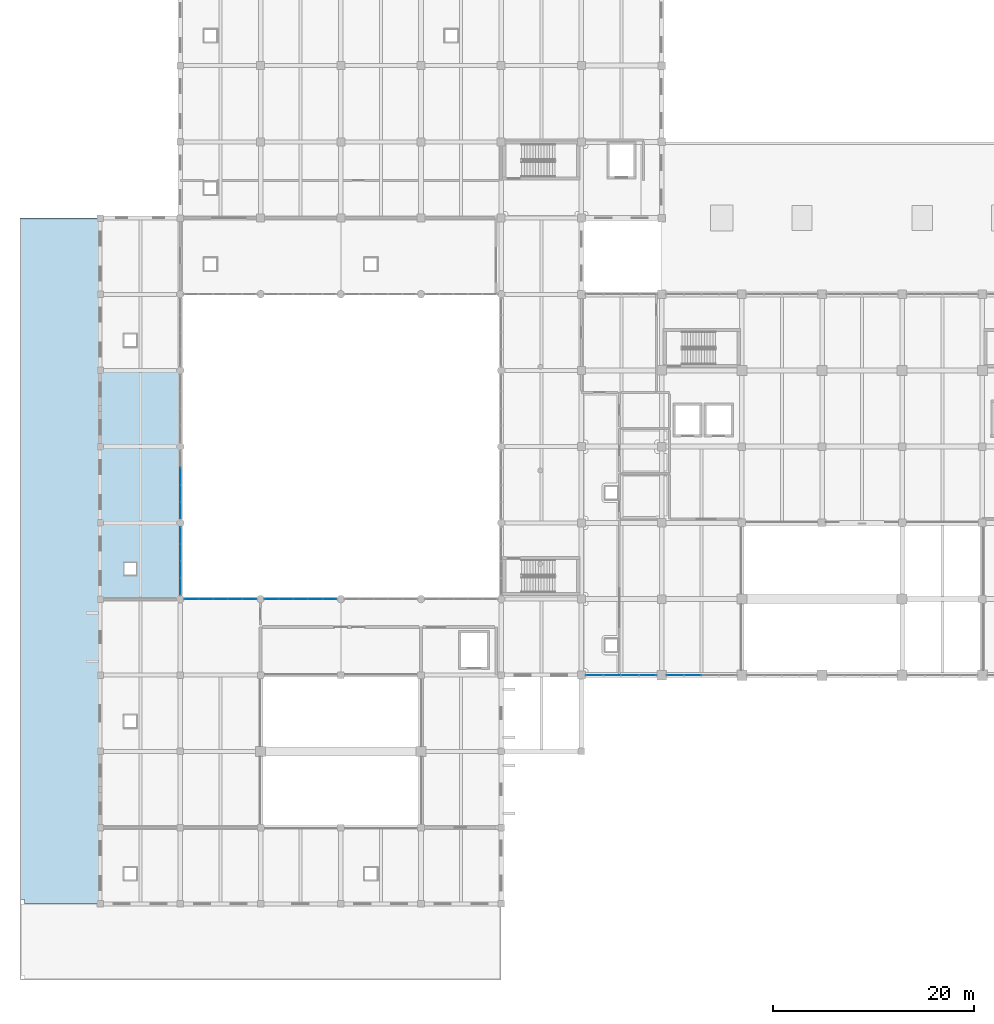
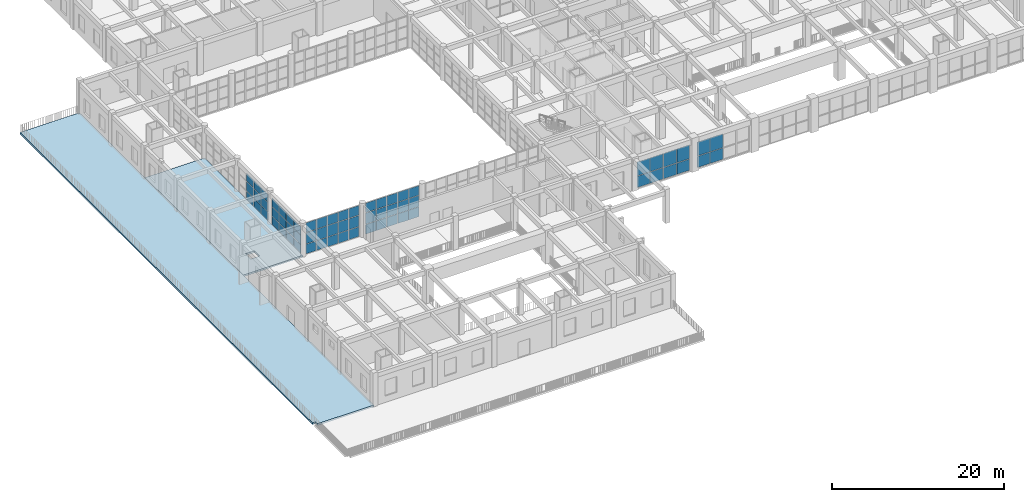
# One storey, part 61 of 101: 63 plates, 2 slabs, 6 elements without a shape of their own.
"""IFC4 building model written with IfcOpenShell, lengths in metres."""

from ifc_helpers import new_model, si_unit, direction, frame, origin, origin_2d, place, context, subcontext, project, spatial, polyline, rectangle, outline, extrude, material, layer, layer_set, type_object, element, aggregate, save


model = new_model("IFC4")

# Units and contexts
model_context = context("Model", 3, precision=1e-05, world=origin(), true_north=direction((0.0, 1.0)))
body_context = subcontext(model_context, "Body", "Model", "MODEL_VIEW")
ifc_project = project(units=[si_unit("LENGTHUNIT", "METRE"), si_unit("AREAUNIT", "SQUARE_METRE"), si_unit("VOLUMEUNIT", "CUBIC_METRE"), si_unit("PLANEANGLEUNIT", "RADIAN"), si_unit("MASSUNIT", "GRAM", prefix="KILO")], contexts=[model_context])

# Site, building, storey
site_placement = place(None, origin())
site = spatial("IfcSite", under=ifc_project, at=site_placement, CompositionType="ELEMENT")
building_placement = place(site_placement, origin())
building = spatial("IfcBuilding", under=site, at=building_placement, Name="Zantavel Square City Hall", CompositionType="ELEMENT")
storey_placement = place(building_placement, frame((0.0, 0.0, 5.39990234375)))
storey = spatial("IfcBuildingStorey", under=building, at=storey_placement, Name="L02", CompositionType="ELEMENT", Elevation=5.39990234375)

# Curtain wall, plates
ifc_material_1 = material(Name="Anodised aluminium 6063-T6", Category="aluminium")
curtain_wall_type_1 = type_object("IfcCurtainWallType", Name="Curtain Wall CRT 7250x4520", PredefinedType="USERDEFINED", material=ifc_material_1)
curtain_wall_1_placement = place(storey_placement, origin())
curtain_wall_1 = element("IfcCurtainWall", 1, at=curtain_wall_1_placement, inside=storey, type_object=curtain_wall_type_1, Name="L02 Glazed Curtain Wall CW-L02-073", ObjectType="GLAZED CURTAIN WALL", PredefinedType="USERDEFINED")
ifc_material_2 = material(Name="Tempered safety glass low-E double glazing", Category="glass")
ifc_layer_1 = layer(ifc_material_2, 0.028076171875, Name="Tempered safety glass low-E double glazing")
ifc_layer_set_1 = layer_set([ifc_layer_1], Name="Tempered safety glass low-E double glazing")
plate_type_1 = type_object("IfcPlateType", Name="Low-E Curtain Glazing Panel 1450x1507x28", PredefinedType="CURTAIN_PANEL", material=ifc_layer_set_1)
plate_1_placement = place(storey_placement, frame((17.114990234375, 38.0, 0.06005859375), z_axis=(0.0, 0.0, 1.0), x_axis=(1.0, 0.0, 0.0)))
plate_1 = element("IfcPlate", 2, at=plate_1_placement, type_object=plate_type_1, Name="CW-073 panel 1.1", PredefinedType="CURTAIN_PANEL", context=body_context, shape_type="SweptSolid", body=[
    extrude(rectangle(XDim=1.360107421875, YDim=0.028076171875, at=origin_2d()), origin(), (0.0, 0.0, 1.0), 1.35595703125),
])
plate_2_placement = place(storey_placement, frame((17.114990234375, 38.0, 1.47607421875), z_axis=(0.0, 0.0, 1.0), x_axis=(1.0, 0.0, 0.0)))
plate_2 = element("IfcPlate", 3, at=plate_2_placement, type_object=plate_type_1, Name="CW-073 panel 1.2", PredefinedType="CURTAIN_PANEL", context=body_context, shape_type="SweptSolid", body=[
    extrude(rectangle(XDim=1.360107421875, YDim=0.028076171875, at=origin_2d()), origin(), (0.0, 0.0, 1.0), 1.568115234375),
])
plate_3_placement = place(storey_placement, frame((17.114990234375, 38.0, 3.10400390625), z_axis=(0.0, 0.0, 1.0), x_axis=(1.0, 0.0, 0.0)))
plate_3 = element("IfcPlate", 4, at=plate_3_placement, type_object=plate_type_1, Name="CW-073 panel 1.3", PredefinedType="CURTAIN_PANEL", context=body_context, shape_type="SweptSolid", body=[
    extrude(rectangle(XDim=1.360107421875, YDim=0.028076171875, at=origin_2d()), origin(), (0.0, 0.0, 1.0), 1.35595703125),
])
plate_4_placement = place(storey_placement, frame((18.550048828125, 38.0, 0.06005859375), z_axis=(0.0, 0.0, 1.0), x_axis=(1.0, 0.0, 0.0)))
plate_4 = element("IfcPlate", 5, at=plate_4_placement, type_object=plate_type_1, Name="CW-073 panel 2.1", PredefinedType="CURTAIN_PANEL", context=body_context, shape_type="SweptSolid", body=[
    extrude(rectangle(XDim=1.389892578125, YDim=0.028076171875, at=origin_2d()), origin(), (0.0, 0.0, 1.0), 1.35595703125),
])
plate_5_placement = place(storey_placement, frame((18.550048828125, 38.0, 1.47607421875), z_axis=(0.0, 0.0, 1.0), x_axis=(1.0, 0.0, 0.0)))
plate_5 = element("IfcPlate", 6, at=plate_5_placement, type_object=plate_type_1, Name="CW-073 panel 2.2", PredefinedType="CURTAIN_PANEL", context=body_context, shape_type="SweptSolid", body=[
    extrude(rectangle(XDim=1.389892578125, YDim=0.028076171875, at=origin_2d()), origin(), (0.0, 0.0, 1.0), 1.568115234375),
])
plate_6_placement = place(storey_placement, frame((18.550048828125, 38.0, 3.10400390625), z_axis=(0.0, 0.0, 1.0), x_axis=(1.0, 0.0, 0.0)))
plate_6 = element("IfcPlate", 7, at=plate_6_placement, type_object=plate_type_1, Name="CW-073 panel 2.3", PredefinedType="CURTAIN_PANEL", context=body_context, shape_type="SweptSolid", body=[
    extrude(rectangle(XDim=1.389892578125, YDim=0.028076171875, at=origin_2d()), origin(), (0.0, 0.0, 1.0), 1.35595703125),
])
plate_7_placement = place(storey_placement, frame((20.0, 38.0, 0.06005859375), z_axis=(0.0, 0.0, 1.0), x_axis=(1.0, 0.0, 0.0)))
plate_7 = element("IfcPlate", 8, at=plate_7_placement, type_object=plate_type_1, Name="CW-073 panel 3.1", PredefinedType="CURTAIN_PANEL", context=body_context, shape_type="SweptSolid", body=[
    extrude(rectangle(XDim=1.389892578125, YDim=0.028076171875, at=origin_2d()), origin(), (0.0, 0.0, 1.0), 1.35595703125),
])
plate_8_placement = place(storey_placement, frame((20.0, 38.0, 1.47607421875), z_axis=(0.0, 0.0, 1.0), x_axis=(1.0, 0.0, 0.0)))
plate_8 = element("IfcPlate", 9, at=plate_8_placement, type_object=plate_type_1, Name="CW-073 panel 3.2", PredefinedType="CURTAIN_PANEL", context=body_context, shape_type="SweptSolid", body=[
    extrude(rectangle(XDim=1.389892578125, YDim=0.028076171875, at=origin_2d()), origin(), (0.0, 0.0, 1.0), 1.568115234375),
])
plate_9_placement = place(storey_placement, frame((20.0, 38.0, 3.10400390625), z_axis=(0.0, 0.0, 1.0), x_axis=(1.0, 0.0, 0.0)))
plate_9 = element("IfcPlate", 10, at=plate_9_placement, type_object=plate_type_1, Name="CW-073 panel 3.3", PredefinedType="CURTAIN_PANEL", context=body_context, shape_type="SweptSolid", body=[
    extrude(rectangle(XDim=1.389892578125, YDim=0.028076171875, at=origin_2d()), origin(), (0.0, 0.0, 1.0), 1.35595703125),
])
plate_10_placement = place(storey_placement, frame((21.449951171875, 38.0, 0.06005859375), z_axis=(0.0, 0.0, 1.0), x_axis=(1.0, 0.0, 0.0)))
plate_10 = element("IfcPlate", 11, at=plate_10_placement, type_object=plate_type_1, Name="CW-073 panel 4.1", PredefinedType="CURTAIN_PANEL", context=body_context, shape_type="SweptSolid", body=[
    extrude(rectangle(XDim=1.389892578125, YDim=0.028076171875, at=origin_2d()), origin(), (0.0, 0.0, 1.0), 1.35595703125),
])
plate_11_placement = place(storey_placement, frame((21.449951171875, 38.0, 1.47607421875), z_axis=(0.0, 0.0, 1.0), x_axis=(1.0, 0.0, 0.0)))
plate_11 = element("IfcPlate", 12, at=plate_11_placement, type_object=plate_type_1, Name="CW-073 panel 4.2", PredefinedType="CURTAIN_PANEL", context=body_context, shape_type="SweptSolid", body=[
    extrude(rectangle(XDim=1.389892578125, YDim=0.028076171875, at=origin_2d()), origin(), (0.0, 0.0, 1.0), 1.568115234375),
])
plate_12_placement = place(storey_placement, frame((21.449951171875, 38.0, 3.10400390625), z_axis=(0.0, 0.0, 1.0), x_axis=(1.0, 0.0, 0.0)))
plate_12 = element("IfcPlate", 13, at=plate_12_placement, type_object=plate_type_1, Name="CW-073 panel 4.3", PredefinedType="CURTAIN_PANEL", context=body_context, shape_type="SweptSolid", body=[
    extrude(rectangle(XDim=1.389892578125, YDim=0.028076171875, at=origin_2d()), origin(), (0.0, 0.0, 1.0), 1.35595703125),
])
plate_13_placement = place(storey_placement, frame((22.885009765625, 38.0, 0.06005859375), z_axis=(0.0, 0.0, 1.0), x_axis=(1.0, 0.0, 0.0)))
plate_13 = element("IfcPlate", 14, at=plate_13_placement, type_object=plate_type_1, Name="CW-073 panel 5.1", PredefinedType="CURTAIN_PANEL", context=body_context, shape_type="SweptSolid", body=[
    extrude(rectangle(XDim=1.360107421875, YDim=0.028076171875, at=origin_2d()), origin(), (0.0, 0.0, 1.0), 1.35595703125),
])
plate_14_placement = place(storey_placement, frame((22.885009765625, 38.0, 1.47607421875), z_axis=(0.0, 0.0, 1.0), x_axis=(1.0, 0.0, 0.0)))
plate_14 = element("IfcPlate", 15, at=plate_14_placement, type_object=plate_type_1, Name="CW-073 panel 5.2", PredefinedType="CURTAIN_PANEL", context=body_context, shape_type="SweptSolid", body=[
    extrude(rectangle(XDim=1.360107421875, YDim=0.028076171875, at=origin_2d()), origin(), (0.0, 0.0, 1.0), 1.568115234375),
])
plate_15_placement = place(storey_placement, frame((22.885009765625, 38.0, 3.10400390625), z_axis=(0.0, 0.0, 1.0), x_axis=(1.0, 0.0, 0.0)))
plate_15 = element("IfcPlate", 16, at=plate_15_placement, type_object=plate_type_1, Name="CW-073 panel 5.3", PredefinedType="CURTAIN_PANEL", context=body_context, shape_type="SweptSolid", body=[
    extrude(rectangle(XDim=1.360107421875, YDim=0.028076171875, at=origin_2d()), origin(), (0.0, 0.0, 1.0), 1.35595703125),
])
aggregate(curtain_wall_1, [plate_1, plate_2, plate_3, plate_4, plate_5, plate_6, plate_7, plate_8, plate_9, plate_10, plate_11, plate_12, plate_13, plate_14, plate_15])

curtain_wall_2_placement = place(storey_placement, origin())
curtain_wall_2 = element("IfcCurtainWall", 17, at=curtain_wall_2_placement, inside=storey, type_object=curtain_wall_type_1, Name="L02 Glazed Curtain Wall CW-L02-074", ObjectType="GLAZED CURTAIN WALL", PredefinedType="USERDEFINED")
plate_16_placement = place(storey_placement, frame((25.114990234375, 38.0, 0.06005859375), z_axis=(0.0, 0.0, 1.0), x_axis=(1.0, 0.0, 0.0)))
plate_16 = element("IfcPlate", 18, at=plate_16_placement, type_object=plate_type_1, Name="CW-074 panel 1.1", PredefinedType="CURTAIN_PANEL", context=body_context, shape_type="SweptSolid", body=[
    extrude(rectangle(XDim=1.360107421875, YDim=0.028076171875, at=origin_2d()), origin(), (0.0, 0.0, 1.0), 1.35595703125),
])
plate_17_placement = place(storey_placement, frame((25.114990234375, 38.0, 1.47607421875), z_axis=(0.0, 0.0, 1.0), x_axis=(1.0, 0.0, 0.0)))
plate_17 = element("IfcPlate", 19, at=plate_17_placement, type_object=plate_type_1, Name="CW-074 panel 1.2", PredefinedType="CURTAIN_PANEL", context=body_context, shape_type="SweptSolid", body=[
    extrude(rectangle(XDim=1.360107421875, YDim=0.028076171875, at=origin_2d()), origin(), (0.0, 0.0, 1.0), 1.568115234375),
])
plate_18_placement = place(storey_placement, frame((25.114990234375, 38.0, 3.10400390625), z_axis=(0.0, 0.0, 1.0), x_axis=(1.0, 0.0, 0.0)))
plate_18 = element("IfcPlate", 20, at=plate_18_placement, type_object=plate_type_1, Name="CW-074 panel 1.3", PredefinedType="CURTAIN_PANEL", context=body_context, shape_type="SweptSolid", body=[
    extrude(rectangle(XDim=1.360107421875, YDim=0.028076171875, at=origin_2d()), origin(), (0.0, 0.0, 1.0), 1.35595703125),
])
plate_19_placement = place(storey_placement, frame((26.550048828125, 38.0, 0.06005859375), z_axis=(0.0, 0.0, 1.0), x_axis=(1.0, 0.0, 0.0)))
plate_19 = element("IfcPlate", 21, at=plate_19_placement, type_object=plate_type_1, Name="CW-074 panel 2.1", PredefinedType="CURTAIN_PANEL", context=body_context, shape_type="SweptSolid", body=[
    extrude(rectangle(XDim=1.389892578125, YDim=0.028076171875, at=origin_2d()), origin(), (0.0, 0.0, 1.0), 1.35595703125),
])
plate_20_placement = place(storey_placement, frame((26.550048828125, 38.0, 1.47607421875), z_axis=(0.0, 0.0, 1.0), x_axis=(1.0, 0.0, 0.0)))
plate_20 = element("IfcPlate", 22, at=plate_20_placement, type_object=plate_type_1, Name="CW-074 panel 2.2", PredefinedType="CURTAIN_PANEL", context=body_context, shape_type="SweptSolid", body=[
    extrude(rectangle(XDim=1.389892578125, YDim=0.028076171875, at=origin_2d()), origin(), (0.0, 0.0, 1.0), 1.568115234375),
])
plate_21_placement = place(storey_placement, frame((26.550048828125, 38.0, 3.10400390625), z_axis=(0.0, 0.0, 1.0), x_axis=(1.0, 0.0, 0.0)))
plate_21 = element("IfcPlate", 23, at=plate_21_placement, type_object=plate_type_1, Name="CW-074 panel 2.3", PredefinedType="CURTAIN_PANEL", context=body_context, shape_type="SweptSolid", body=[
    extrude(rectangle(XDim=1.389892578125, YDim=0.028076171875, at=origin_2d()), origin(), (0.0, 0.0, 1.0), 1.35595703125),
])
plate_22_placement = place(storey_placement, frame((28.0, 38.0, 0.06005859375), z_axis=(0.0, 0.0, 1.0), x_axis=(1.0, 0.0, 0.0)))
plate_22 = element("IfcPlate", 24, at=plate_22_placement, type_object=plate_type_1, Name="CW-074 panel 3.1", PredefinedType="CURTAIN_PANEL", context=body_context, shape_type="SweptSolid", body=[
    extrude(rectangle(XDim=1.389892578125, YDim=0.028076171875, at=origin_2d()), origin(), (0.0, 0.0, 1.0), 1.35595703125),
])
plate_23_placement = place(storey_placement, frame((28.0, 38.0, 1.47607421875), z_axis=(0.0, 0.0, 1.0), x_axis=(1.0, 0.0, 0.0)))
plate_23 = element("IfcPlate", 25, at=plate_23_placement, type_object=plate_type_1, Name="CW-074 panel 3.2", PredefinedType="CURTAIN_PANEL", context=body_context, shape_type="SweptSolid", body=[
    extrude(rectangle(XDim=1.389892578125, YDim=0.028076171875, at=origin_2d()), origin(), (0.0, 0.0, 1.0), 1.568115234375),
])
plate_24_placement = place(storey_placement, frame((28.0, 38.0, 3.10400390625), z_axis=(0.0, 0.0, 1.0), x_axis=(1.0, 0.0, 0.0)))
plate_24 = element("IfcPlate", 26, at=plate_24_placement, type_object=plate_type_1, Name="CW-074 panel 3.3", PredefinedType="CURTAIN_PANEL", context=body_context, shape_type="SweptSolid", body=[
    extrude(rectangle(XDim=1.389892578125, YDim=0.028076171875, at=origin_2d()), origin(), (0.0, 0.0, 1.0), 1.35595703125),
])
plate_25_placement = place(storey_placement, frame((29.449951171875, 38.0, 0.06005859375), z_axis=(0.0, 0.0, 1.0), x_axis=(1.0, 0.0, 0.0)))
plate_25 = element("IfcPlate", 27, at=plate_25_placement, type_object=plate_type_1, Name="CW-074 panel 4.1", PredefinedType="CURTAIN_PANEL", context=body_context, shape_type="SweptSolid", body=[
    extrude(rectangle(XDim=1.389892578125, YDim=0.028076171875, at=origin_2d()), origin(), (0.0, 0.0, 1.0), 1.35595703125),
])
plate_26_placement = place(storey_placement, frame((29.449951171875, 38.0, 1.47607421875), z_axis=(0.0, 0.0, 1.0), x_axis=(1.0, 0.0, 0.0)))
plate_26 = element("IfcPlate", 28, at=plate_26_placement, type_object=plate_type_1, Name="CW-074 panel 4.2", PredefinedType="CURTAIN_PANEL", context=body_context, shape_type="SweptSolid", body=[
    extrude(rectangle(XDim=1.389892578125, YDim=0.028076171875, at=origin_2d()), origin(), (0.0, 0.0, 1.0), 1.568115234375),
])
plate_27_placement = place(storey_placement, frame((29.449951171875, 38.0, 3.10400390625), z_axis=(0.0, 0.0, 1.0), x_axis=(1.0, 0.0, 0.0)))
plate_27 = element("IfcPlate", 29, at=plate_27_placement, type_object=plate_type_1, Name="CW-074 panel 4.3", PredefinedType="CURTAIN_PANEL", context=body_context, shape_type="SweptSolid", body=[
    extrude(rectangle(XDim=1.389892578125, YDim=0.028076171875, at=origin_2d()), origin(), (0.0, 0.0, 1.0), 1.35595703125),
])
plate_28_placement = place(storey_placement, frame((30.885009765625, 38.0, 0.06005859375), z_axis=(0.0, 0.0, 1.0), x_axis=(1.0, 0.0, 0.0)))
plate_28 = element("IfcPlate", 30, at=plate_28_placement, type_object=plate_type_1, Name="CW-074 panel 5.1", PredefinedType="CURTAIN_PANEL", context=body_context, shape_type="SweptSolid", body=[
    extrude(rectangle(XDim=1.360107421875, YDim=0.028076171875, at=origin_2d()), origin(), (0.0, 0.0, 1.0), 1.35595703125),
])
plate_29_placement = place(storey_placement, frame((30.885009765625, 38.0, 1.47607421875), z_axis=(0.0, 0.0, 1.0), x_axis=(1.0, 0.0, 0.0)))
plate_29 = element("IfcPlate", 31, at=plate_29_placement, type_object=plate_type_1, Name="CW-074 panel 5.2", PredefinedType="CURTAIN_PANEL", context=body_context, shape_type="SweptSolid", body=[
    extrude(rectangle(XDim=1.360107421875, YDim=0.028076171875, at=origin_2d()), origin(), (0.0, 0.0, 1.0), 1.568115234375),
])
plate_30_placement = place(storey_placement, frame((30.885009765625, 38.0, 3.10400390625), z_axis=(0.0, 0.0, 1.0), x_axis=(1.0, 0.0, 0.0)))
plate_30 = element("IfcPlate", 32, at=plate_30_placement, type_object=plate_type_1, Name="CW-074 panel 5.3", PredefinedType="CURTAIN_PANEL", context=body_context, shape_type="SweptSolid", body=[
    extrude(rectangle(XDim=1.360107421875, YDim=0.028076171875, at=origin_2d()), origin(), (0.0, 0.0, 1.0), 1.35595703125),
])
aggregate(curtain_wall_2, [plate_16, plate_17, plate_18, plate_19, plate_20, plate_21, plate_22, plate_23, plate_24, plate_25, plate_26, plate_27, plate_28, plate_29, plate_30])

curtain_wall_type_2 = type_object("IfcCurtainWallType", Name="Curtain Wall CRT 6850x3840", PredefinedType="USERDEFINED", material=ifc_material_1)
curtain_wall_3_placement = place(storey_placement, origin())
curtain_wall_3 = element("IfcCurtainWall", 33, at=curtain_wall_3_placement, inside=storey, type_object=curtain_wall_type_2, Name="L02 Glazed Curtain Wall CW-L02-071", ObjectType="GLAZED CURTAIN WALL", PredefinedType="USERDEFINED")
ifc_layer_2 = layer(ifc_material_2, 0.028076171875, Name="Tempered safety glass low-E double glazing")
ifc_layer_set_2 = layer_set([ifc_layer_2], Name="Tempered safety glass low-E double glazing")
plate_type_2 = type_object("IfcPlateType", Name="Low-E Curtain Glazing Panel 1713x1280x28", PredefinedType="CURTAIN_PANEL", material=ifc_layer_set_2)
plate_31_placement = place(storey_placement, frame((16.0, 50.25634765625, 0.06005859375), z_axis=(0.0, 0.0, 1.0), x_axis=(0.0, -1.0, 0.0)))
plate_31 = element("IfcPlate", 34, at=plate_31_placement, type_object=plate_type_2, Name="CW-071 panel 2.1", PredefinedType="CURTAIN_PANEL", context=body_context, shape_type="SweptSolid", body=[
    extrude(rectangle(XDim=1.652587890625, YDim=0.028076171875, at=origin_2d()), origin(), (0.0, 0.0, 1.0), 1.138916015625),
])
plate_32_placement = place(storey_placement, frame((16.0, 50.25634765625, 1.25927734375), z_axis=(0.0, 0.0, 1.0), x_axis=(0.0, -1.0, 0.0)))
plate_32 = element("IfcPlate", 35, at=plate_32_placement, type_object=plate_type_2, Name="CW-071 panel 2.2", PredefinedType="CURTAIN_PANEL", context=body_context, shape_type="SweptSolid", body=[
    extrude(rectangle(XDim=1.652587890625, YDim=0.028076171875, at=origin_2d()), origin(), (0.0, 0.0, 1.0), 1.322021484375),
])
plate_33_placement = place(storey_placement, frame((16.0, 50.25634765625, 2.64111328125), z_axis=(0.0, 0.0, 1.0), x_axis=(0.0, -1.0, 0.0)))
plate_33 = element("IfcPlate", 36, at=plate_33_placement, type_object=plate_type_2, Name="CW-071 panel 2.3", PredefinedType="CURTAIN_PANEL", context=body_context, shape_type="SweptSolid", body=[
    extrude(rectangle(XDim=1.652587890625, YDim=0.028076171875, at=origin_2d()), origin(), (0.0, 0.0, 1.0), 1.138916015625),
])
plate_34_placement = place(storey_placement, frame((16.0, 48.543701171875, 0.06005859375), z_axis=(0.0, 0.0, 1.0), x_axis=(0.0, -1.0, 0.0)))
plate_34 = element("IfcPlate", 37, at=plate_34_placement, type_object=plate_type_2, Name="CW-071 panel 3.1", PredefinedType="CURTAIN_PANEL", context=body_context, shape_type="SweptSolid", body=[
    extrude(rectangle(XDim=1.652587890625, YDim=0.028076171875, at=origin_2d()), origin(), (0.0, 0.0, 1.0), 1.138916015625),
])
plate_35_placement = place(storey_placement, frame((16.0, 48.543701171875, 1.25927734375), z_axis=(0.0, 0.0, 1.0), x_axis=(0.0, -1.0, 0.0)))
plate_35 = element("IfcPlate", 38, at=plate_35_placement, type_object=plate_type_2, Name="CW-071 panel 3.2", PredefinedType="CURTAIN_PANEL", context=body_context, shape_type="SweptSolid", body=[
    extrude(rectangle(XDim=1.652587890625, YDim=0.028076171875, at=origin_2d()), origin(), (0.0, 0.0, 1.0), 1.322021484375),
])
plate_36_placement = place(storey_placement, frame((16.0, 48.543701171875, 2.64111328125), z_axis=(0.0, 0.0, 1.0), x_axis=(0.0, -1.0, 0.0)))
plate_36 = element("IfcPlate", 39, at=plate_36_placement, type_object=plate_type_2, Name="CW-071 panel 3.3", PredefinedType="CURTAIN_PANEL", context=body_context, shape_type="SweptSolid", body=[
    extrude(rectangle(XDim=1.652587890625, YDim=0.028076171875, at=origin_2d()), origin(), (0.0, 0.0, 1.0), 1.138916015625),
])
plate_37_placement = place(storey_placement, frame((16.0, 46.84619140625, 0.06005859375), z_axis=(0.0, 0.0, 1.0), x_axis=(0.0, -1.0, 0.0)))
plate_37 = element("IfcPlate", 40, at=plate_37_placement, type_object=plate_type_2, Name="CW-071 panel 4.1", PredefinedType="CURTAIN_PANEL", context=body_context, shape_type="SweptSolid", body=[
    extrude(rectangle(XDim=1.62255859375, YDim=0.028076171875, at=origin_2d()), origin(), (0.0, 0.0, 1.0), 1.138916015625),
])
plate_38_placement = place(storey_placement, frame((16.0, 46.84619140625, 1.25927734375), z_axis=(0.0, 0.0, 1.0), x_axis=(0.0, -1.0, 0.0)))
plate_38 = element("IfcPlate", 41, at=plate_38_placement, type_object=plate_type_2, Name="CW-071 panel 4.2", PredefinedType="CURTAIN_PANEL", context=body_context, shape_type="SweptSolid", body=[
    extrude(rectangle(XDim=1.62255859375, YDim=0.028076171875, at=origin_2d()), origin(), (0.0, 0.0, 1.0), 1.322021484375),
])
plate_39_placement = place(storey_placement, frame((16.0, 46.84619140625, 2.64111328125), z_axis=(0.0, 0.0, 1.0), x_axis=(0.0, -1.0, 0.0)))
plate_39 = element("IfcPlate", 42, at=plate_39_placement, type_object=plate_type_2, Name="CW-071 panel 4.3", PredefinedType="CURTAIN_PANEL", context=body_context, shape_type="SweptSolid", body=[
    extrude(rectangle(XDim=1.62255859375, YDim=0.028076171875, at=origin_2d()), origin(), (0.0, 0.0, 1.0), 1.138916015625),
])
aggregate(curtain_wall_3, [plate_31, plate_32, plate_33, plate_34, plate_35, plate_36, plate_37, plate_38, plate_39])

curtain_wall_4_placement = place(storey_placement, origin())
curtain_wall_4 = element("IfcCurtainWall", 43, at=curtain_wall_4_placement, inside=storey, type_object=curtain_wall_type_2, Name="L02 Glazed Curtain Wall CW-L02-072", ObjectType="GLAZED CURTAIN WALL", PredefinedType="USERDEFINED")
plate_40_placement = place(storey_placement, frame((16.0, 44.353759765625, 0.06005859375), z_axis=(0.0, 0.0, 1.0), x_axis=(0.0, -1.0, 0.0)))
plate_40 = element("IfcPlate", 44, at=plate_40_placement, type_object=plate_type_2, Name="CW-072 panel 1.1", PredefinedType="CURTAIN_PANEL", context=body_context, shape_type="SweptSolid", body=[
    extrude(rectangle(XDim=1.62255859375, YDim=0.028076171875, at=origin_2d()), origin(), (0.0, 0.0, 1.0), 1.138916015625),
])
plate_41_placement = place(storey_placement, frame((16.0, 44.353759765625, 1.25927734375), z_axis=(0.0, 0.0, 1.0), x_axis=(0.0, -1.0, 0.0)))
plate_41 = element("IfcPlate", 45, at=plate_41_placement, type_object=plate_type_2, Name="CW-072 panel 1.2", PredefinedType="CURTAIN_PANEL", context=body_context, shape_type="SweptSolid", body=[
    extrude(rectangle(XDim=1.62255859375, YDim=0.028076171875, at=origin_2d()), origin(), (0.0, 0.0, 1.0), 1.322021484375),
])
plate_42_placement = place(storey_placement, frame((16.0, 44.353759765625, 2.64111328125), z_axis=(0.0, 0.0, 1.0), x_axis=(0.0, -1.0, 0.0)))
plate_42 = element("IfcPlate", 46, at=plate_42_placement, type_object=plate_type_2, Name="CW-072 panel 1.3", PredefinedType="CURTAIN_PANEL", context=body_context, shape_type="SweptSolid", body=[
    extrude(rectangle(XDim=1.62255859375, YDim=0.028076171875, at=origin_2d()), origin(), (0.0, 0.0, 1.0), 1.138916015625),
])
plate_43_placement = place(storey_placement, frame((16.0, 42.65625, 0.06005859375), z_axis=(0.0, 0.0, 1.0), x_axis=(0.0, -1.0, 0.0)))
plate_43 = element("IfcPlate", 47, at=plate_43_placement, type_object=plate_type_2, Name="CW-072 panel 2.1", PredefinedType="CURTAIN_PANEL", context=body_context, shape_type="SweptSolid", body=[
    extrude(rectangle(XDim=1.652587890625, YDim=0.028076171875, at=origin_2d()), origin(), (0.0, 0.0, 1.0), 1.138916015625),
])
plate_44_placement = place(storey_placement, frame((16.0, 42.65625, 1.25927734375), z_axis=(0.0, 0.0, 1.0), x_axis=(0.0, -1.0, 0.0)))
plate_44 = element("IfcPlate", 48, at=plate_44_placement, type_object=plate_type_2, Name="CW-072 panel 2.2", PredefinedType="CURTAIN_PANEL", context=body_context, shape_type="SweptSolid", body=[
    extrude(rectangle(XDim=1.652587890625, YDim=0.028076171875, at=origin_2d()), origin(), (0.0, 0.0, 1.0), 1.322021484375),
])
plate_45_placement = place(storey_placement, frame((16.0, 42.65625, 2.64111328125), z_axis=(0.0, 0.0, 1.0), x_axis=(0.0, -1.0, 0.0)))
plate_45 = element("IfcPlate", 49, at=plate_45_placement, type_object=plate_type_2, Name="CW-072 panel 2.3", PredefinedType="CURTAIN_PANEL", context=body_context, shape_type="SweptSolid", body=[
    extrude(rectangle(XDim=1.652587890625, YDim=0.028076171875, at=origin_2d()), origin(), (0.0, 0.0, 1.0), 1.138916015625),
])
plate_46_placement = place(storey_placement, frame((16.0, 40.94384765625, 0.06005859375), z_axis=(0.0, 0.0, 1.0), x_axis=(0.0, -1.0, 0.0)))
plate_46 = element("IfcPlate", 50, at=plate_46_placement, type_object=plate_type_2, Name="CW-072 panel 3.1", PredefinedType="CURTAIN_PANEL", context=body_context, shape_type="SweptSolid", body=[
    extrude(rectangle(XDim=1.652587890625, YDim=0.028076171875, at=origin_2d()), origin(), (0.0, 0.0, 1.0), 1.138916015625),
])
plate_47_placement = place(storey_placement, frame((16.0, 40.94384765625, 1.25927734375), z_axis=(0.0, 0.0, 1.0), x_axis=(0.0, -1.0, 0.0)))
plate_47 = element("IfcPlate", 51, at=plate_47_placement, type_object=plate_type_2, Name="CW-072 panel 3.2", PredefinedType="CURTAIN_PANEL", context=body_context, shape_type="SweptSolid", body=[
    extrude(rectangle(XDim=1.652587890625, YDim=0.028076171875, at=origin_2d()), origin(), (0.0, 0.0, 1.0), 1.322021484375),
])
plate_48_placement = place(storey_placement, frame((16.0, 40.94384765625, 2.64111328125), z_axis=(0.0, 0.0, 1.0), x_axis=(0.0, -1.0, 0.0)))
plate_48 = element("IfcPlate", 52, at=plate_48_placement, type_object=plate_type_2, Name="CW-072 panel 3.3", PredefinedType="CURTAIN_PANEL", context=body_context, shape_type="SweptSolid", body=[
    extrude(rectangle(XDim=1.652587890625, YDim=0.028076171875, at=origin_2d()), origin(), (0.0, 0.0, 1.0), 1.138916015625),
])
plate_49_placement = place(storey_placement, frame((16.0, 39.246337890625, 0.06005859375), z_axis=(0.0, 0.0, 1.0), x_axis=(0.0, -1.0, 0.0)))
plate_49 = element("IfcPlate", 53, at=plate_49_placement, type_object=plate_type_2, Name="CW-072 panel 4.1", PredefinedType="CURTAIN_PANEL", context=body_context, shape_type="SweptSolid", body=[
    extrude(rectangle(XDim=1.62255859375, YDim=0.028076171875, at=origin_2d()), origin(), (0.0, 0.0, 1.0), 1.138916015625),
])
plate_50_placement = place(storey_placement, frame((16.0, 39.246337890625, 1.25927734375), z_axis=(0.0, 0.0, 1.0), x_axis=(0.0, -1.0, 0.0)))
plate_50 = element("IfcPlate", 54, at=plate_50_placement, type_object=plate_type_2, Name="CW-072 panel 4.2", PredefinedType="CURTAIN_PANEL", context=body_context, shape_type="SweptSolid", body=[
    extrude(rectangle(XDim=1.62255859375, YDim=0.028076171875, at=origin_2d()), origin(), (0.0, 0.0, 1.0), 1.322021484375),
])
plate_51_placement = place(storey_placement, frame((16.0, 39.246337890625, 2.64111328125), z_axis=(0.0, 0.0, 1.0), x_axis=(0.0, -1.0, 0.0)))
plate_51 = element("IfcPlate", 55, at=plate_51_placement, type_object=plate_type_2, Name="CW-072 panel 4.3", PredefinedType="CURTAIN_PANEL", context=body_context, shape_type="SweptSolid", body=[
    extrude(rectangle(XDim=1.62255859375, YDim=0.028076171875, at=origin_2d()), origin(), (0.0, 0.0, 1.0), 1.138916015625),
])
aggregate(curtain_wall_4, [plate_40, plate_41, plate_42, plate_43, plate_44, plate_45, plate_46, plate_47, plate_48, plate_49, plate_50, plate_51])

curtain_wall_type_3 = type_object("IfcCurtainWallType", Name="Curtain Wall TRV1 7025x3740", PredefinedType="USERDEFINED", material=ifc_material_1)
curtain_wall_5_placement = place(storey_placement, origin())
curtain_wall_5 = element("IfcCurtainWall", 56, at=curtain_wall_5_placement, inside=storey, type_object=curtain_wall_type_3, Name="L02 Glazed Curtain Wall CW-L02-049", ObjectType="GLAZED CURTAIN WALL", PredefinedType="USERDEFINED")
ifc_layer_3 = layer(ifc_material_2, 0.028076171875, Name="Tempered safety glass low-E double glazing")
ifc_layer_set_3 = layer_set([ifc_layer_3], Name="Tempered safety glass low-E double glazing")
plate_type_3 = type_object("IfcPlateType", Name="Low-E Curtain Glazing Panel 1756x1870x28", PredefinedType="CURTAIN_PANEL", material=ifc_layer_set_3)
plate_52_placement = place(storey_placement, frame((67.109375, 30.39990234375, 0.06005859375), z_axis=(0.0, 0.0, 1.0), x_axis=(-1.0, 0.0, 0.0)))
plate_52 = element("IfcPlate", 57, at=plate_52_placement, type_object=plate_type_3, Name="CW-049 panel 3.1", PredefinedType="CURTAIN_PANEL", context=body_context, shape_type="SweptSolid", body=[
    extrude(rectangle(XDim=1.6962890625, YDim=0.028076171875, at=origin_2d()), origin(), (0.0, 0.0, 1.0), 1.593017578125),
])
plate_53_placement = place(storey_placement, frame((67.109375, 30.39990234375, 1.712890625), z_axis=(0.0, 0.0, 1.0), x_axis=(-1.0, 0.0, 0.0)))
plate_53 = element("IfcPlate", 58, at=plate_53_placement, type_object=plate_type_3, Name="CW-049 panel 3.2", PredefinedType="CURTAIN_PANEL", context=body_context, shape_type="SweptSolid", body=[
    extrude(rectangle(XDim=1.6962890625, YDim=0.028076171875, at=origin_2d()), origin(), (0.0, 0.0, 1.0), 1.967041015625),
])
plate_54_placement = place(storey_placement, frame((65.3681640625, 30.39990234375, 0.06005859375), z_axis=(0.0, 0.0, 1.0), x_axis=(-1.0, 0.0, 0.0)))
plate_54 = element("IfcPlate", 59, at=plate_54_placement, type_object=plate_type_3, Name="CW-049 panel 4.1", PredefinedType="CURTAIN_PANEL", context=body_context, shape_type="SweptSolid", body=[
    extrude(rectangle(XDim=1.666259765625, YDim=0.028076171875, at=origin_2d()), origin(), (0.0, 0.0, 1.0), 1.593017578125),
])
plate_55_placement = place(storey_placement, frame((65.3681640625, 30.39990234375, 1.712890625), z_axis=(0.0, 0.0, 1.0), x_axis=(-1.0, 0.0, 0.0)))
plate_55 = element("IfcPlate", 60, at=plate_55_placement, type_object=plate_type_3, Name="CW-049 panel 4.2", PredefinedType="CURTAIN_PANEL", context=body_context, shape_type="SweptSolid", body=[
    extrude(rectangle(XDim=1.666259765625, YDim=0.028076171875, at=origin_2d()), origin(), (0.0, 0.0, 1.0), 1.967041015625),
])
aggregate(curtain_wall_5, [plate_52, plate_53, plate_54, plate_55])

curtain_wall_type_4 = type_object("IfcCurtainWallType", Name="Curtain Wall TRV1 7125x3740", PredefinedType="USERDEFINED", material=ifc_material_1)
curtain_wall_6_placement = place(storey_placement, origin())
curtain_wall_6 = element("IfcCurtainWall", 61, at=curtain_wall_6_placement, inside=storey, type_object=curtain_wall_type_4, Name="L02 Glazed Curtain Wall CW-L02-050", ObjectType="GLAZED CURTAIN WALL", PredefinedType="USERDEFINED")
ifc_layer_4 = layer(ifc_material_2, 0.028076171875, Name="Tempered safety glass low-E double glazing")
ifc_layer_set_4 = layer_set([ifc_layer_4], Name="Tempered safety glass low-E double glazing")
plate_type_4 = type_object("IfcPlateType", Name="Low-E Curtain Glazing Panel 1781x1870x28", PredefinedType="CURTAIN_PANEL", material=ifc_layer_set_4)
plate_56_placement = place(storey_placement, frame((62.619384765625, 30.39990234375, 0.06005859375), z_axis=(0.0, 0.0, 1.0), x_axis=(-1.0, 0.0, 0.0)))
plate_56 = element("IfcPlate", 62, at=plate_56_placement, type_object=plate_type_4, Name="CW-050 panel 1.1", PredefinedType="CURTAIN_PANEL", context=body_context, shape_type="SweptSolid", body=[
    extrude(rectangle(XDim=1.691162109375, YDim=0.028076171875, at=origin_2d()), origin(), (0.0, 0.0, 1.0), 1.593017578125),
])
plate_57_placement = place(storey_placement, frame((62.619384765625, 30.39990234375, 1.712890625), z_axis=(0.0, 0.0, 1.0), x_axis=(-1.0, 0.0, 0.0)))
plate_57 = element("IfcPlate", 63, at=plate_57_placement, type_object=plate_type_4, Name="CW-050 panel 1.2", PredefinedType="CURTAIN_PANEL", context=body_context, shape_type="SweptSolid", body=[
    extrude(rectangle(XDim=1.691162109375, YDim=0.028076171875, at=origin_2d()), origin(), (0.0, 0.0, 1.0), 1.967041015625),
])
plate_58_placement = place(storey_placement, frame((60.85302734375, 30.39990234375, 0.06005859375), z_axis=(0.0, 0.0, 1.0), x_axis=(-1.0, 0.0, 0.0)))
plate_58 = element("IfcPlate", 64, at=plate_58_placement, type_object=plate_type_4, Name="CW-050 panel 2.1", PredefinedType="CURTAIN_PANEL", context=body_context, shape_type="SweptSolid", body=[
    extrude(rectangle(XDim=1.72119140625, YDim=0.028076171875, at=origin_2d()), origin(), (0.0, 0.0, 1.0), 1.593017578125),
])
plate_59_placement = place(storey_placement, frame((60.85302734375, 30.39990234375, 1.712890625), z_axis=(0.0, 0.0, 1.0), x_axis=(-1.0, 0.0, 0.0)))
plate_59 = element("IfcPlate", 65, at=plate_59_placement, type_object=plate_type_4, Name="CW-050 panel 2.2", PredefinedType="CURTAIN_PANEL", context=body_context, shape_type="SweptSolid", body=[
    extrude(rectangle(XDim=1.72119140625, YDim=0.028076171875, at=origin_2d()), origin(), (0.0, 0.0, 1.0), 1.967041015625),
])
plate_60_placement = place(storey_placement, frame((59.07177734375, 30.39990234375, 0.06005859375), z_axis=(0.0, 0.0, 1.0), x_axis=(-1.0, 0.0, 0.0)))
plate_60 = element("IfcPlate", 66, at=plate_60_placement, type_object=plate_type_4, Name="CW-050 panel 3.1", PredefinedType="CURTAIN_PANEL", context=body_context, shape_type="SweptSolid", body=[
    extrude(rectangle(XDim=1.72119140625, YDim=0.028076171875, at=origin_2d()), origin(), (0.0, 0.0, 1.0), 1.593017578125),
])
plate_61_placement = place(storey_placement, frame((59.07177734375, 30.39990234375, 1.712890625), z_axis=(0.0, 0.0, 1.0), x_axis=(-1.0, 0.0, 0.0)))
plate_61 = element("IfcPlate", 67, at=plate_61_placement, type_object=plate_type_4, Name="CW-050 panel 3.2", PredefinedType="CURTAIN_PANEL", context=body_context, shape_type="SweptSolid", body=[
    extrude(rectangle(XDim=1.72119140625, YDim=0.028076171875, at=origin_2d()), origin(), (0.0, 0.0, 1.0), 1.967041015625),
])
plate_62_placement = place(storey_placement, frame((57.3056640625, 30.39990234375, 0.06005859375), z_axis=(0.0, 0.0, 1.0), x_axis=(-1.0, 0.0, 0.0)))
plate_62 = element("IfcPlate", 68, at=plate_62_placement, type_object=plate_type_4, Name="CW-050 panel 4.1", PredefinedType="CURTAIN_PANEL", context=body_context, shape_type="SweptSolid", body=[
    extrude(rectangle(XDim=1.691162109375, YDim=0.028076171875, at=origin_2d()), origin(), (0.0, 0.0, 1.0), 1.593017578125),
])
plate_63_placement = place(storey_placement, frame((57.3056640625, 30.39990234375, 1.712890625), z_axis=(0.0, 0.0, 1.0), x_axis=(-1.0, 0.0, 0.0)))
plate_63 = element("IfcPlate", 69, at=plate_63_placement, type_object=plate_type_4, Name="CW-050 panel 4.2", PredefinedType="CURTAIN_PANEL", context=body_context, shape_type="SweptSolid", body=[
    extrude(rectangle(XDim=1.691162109375, YDim=0.028076171875, at=origin_2d()), origin(), (0.0, 0.0, 1.0), 1.967041015625),
])
aggregate(curtain_wall_6, [plate_56, plate_57, plate_58, plate_59, plate_60, plate_61, plate_62, plate_63])

# Slabs
ifc_material_3 = material(Name="Concrete C35/45", Category="concrete")
ifc_layer_5 = layer(ifc_material_3, 0.25, Name="Concrete C35/45")
ifc_layer_set_5 = layer_set([ifc_layer_5], Name="Concrete C35/45")
slab_type_1 = type_object("IfcSlabType", Name="Portales Promenade Deck Slab 250mm C35/45", PredefinedType="FLOOR", material=ifc_layer_set_5)
slab_1_placement = place(storey_placement, frame((0.0, 0.0, -0.25)))
element("IfcSlab", 70, at=slab_1_placement, inside=storey, type_object=slab_type_1, Name="L02 Outdoor Terrace Slab SLB-L02-PROM-WW", PredefinedType="FLOOR", context=body_context, shape_type="SweptSolid", body=[
    extrude(outline(polyline([(0.449951171875, 7.60009765625), (0.449951171875, 8.050048828125), (0.0, 8.050048828125), (0.0, 76.0), (8.0, 76.0), (8.0, 60.800048828125), (8.0, 38.0), (8.0, 22.800048828125), (8.0, 7.60009765625), (0.449951171875, 7.60009765625)])), origin(), (0.0, 0.0, 1.0), 0.25),
])
ifc_layer_6 = layer(ifc_material_3, 0.239990234375, Name="Concrete C35/45")
ifc_layer_set_6 = layer_set([ifc_layer_6], Name="Concrete C35/45")
slab_type_2 = type_object("IfcSlabType", Name="Standard Office Floor Slab 240mm C35/45", PredefinedType="FLOOR", material=ifc_layer_set_6)
slab_2_placement = place(storey_placement, frame((0.0, 0.0, -0.239990234375)))
element("IfcSlab", 71, at=slab_2_placement, inside=storey, type_object=slab_type_2, Name="L02 Floor Slab SLB-L02-V3W-01", PredefinedType="FLOOR", context=body_context, shape_type="SweptSolid", body=[
    extrude(outline(polyline([(16.0, 60.800048828125), (16.0, 38.0), (8.0, 38.0), (8.0, 60.800048828125), (16.0, 60.800048828125)]), holes=[polyline([(11.60009765625, 41.60009765625), (10.39990234375, 41.60009765625), (10.39990234375, 40.39990234375), (11.60009765625, 40.39990234375), (11.60009765625, 41.60009765625)])]), origin(), (0.0, 0.0, 1.0), 0.239990234375),
])

save(model, "model.ifc")
